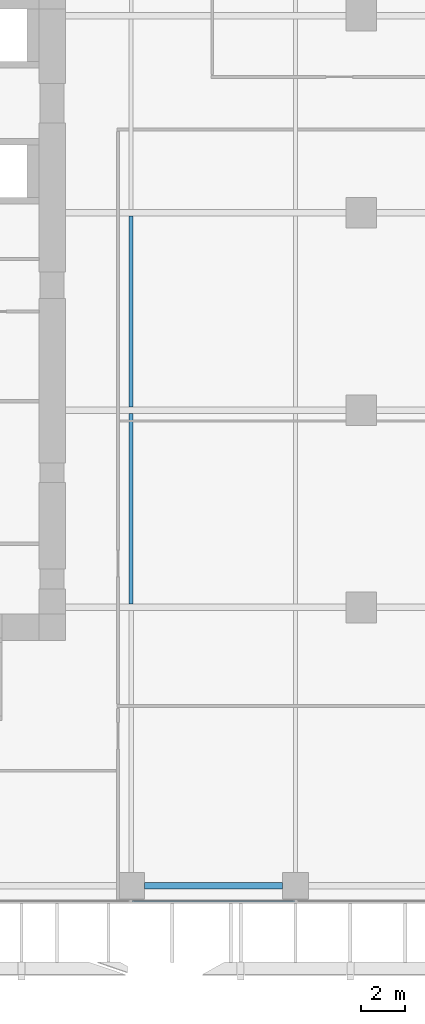
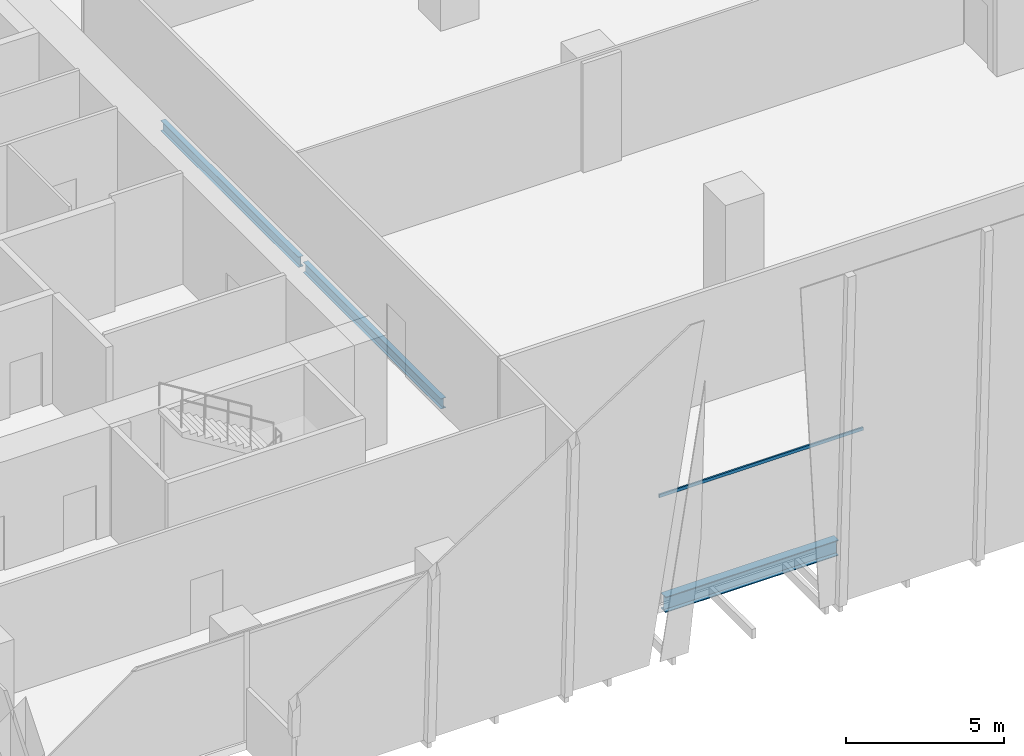
# One storey, part 6 of 34: 3 beams, 1 member, 1 element without a shape of its own.
"""IFC4 building model written with IfcOpenShell, lengths in metres."""

from ifc_helpers import new_model, si_unit, direction, frame, origin, origin_2d, place, context, subcontext, project, spatial, hollow_rectangle, i_section, extrude, source, transform, mapped, material, material_profile, profile_set, type_object, element, aggregate, save


model = new_model("IFC4")

# Units and contexts
model_context = context("Model", 3, precision=1e-05, world=origin(), true_north=direction((0.0, 1.0)))
body_context = subcontext(model_context, "Body", "Model", "MODEL_VIEW")
ifc_project = project(units=[si_unit("LENGTHUNIT", "METRE"), si_unit("AREAUNIT", "SQUARE_METRE"), si_unit("VOLUMEUNIT", "CUBIC_METRE"), si_unit("PLANEANGLEUNIT", "RADIAN"), si_unit("MASSUNIT", "GRAM", prefix="KILO")], contexts=[model_context])

# Site, building, storey
site_placement = place(None, origin())
site = spatial("IfcSite", under=ifc_project, at=site_placement, CompositionType="ELEMENT")
building_placement = place(site_placement, origin())
building = spatial("IfcBuilding", under=site, at=building_placement, Name="Khomas Fold Tower", CompositionType="ELEMENT")
storey_placement = place(building_placement, frame((0.0, 0.0, 73.5)))
storey = spatial("IfcBuildingStorey", under=building, at=storey_placement, Name="L15", CompositionType="ELEMENT", Elevation=73.5)

# Beams
ifc_material_1 = material(Name="Steel S355", Category="steel")
ifc_material_profile_1 = material_profile(ifc_material_1, i_section(OverallWidth=0.179931640625, OverallDepth=0.39990234375, WebThickness=0.008544921875, FlangeThickness=0.013427734375, at=origin_2d()), Name="IPE 400")
ifc_profile_set_1 = profile_set([ifc_material_profile_1], Name="Steel S355")
beam_type_1 = type_object("IfcBeamType", Name="IPE 400 beam JB3", PredefinedType="BEAM", material=ifc_profile_set_1)
shared_shape_1 = source(origin(), body_context, "Body", "SweptSolid", [
    extrude(i_section(OverallWidth=0.179931640625, OverallDepth=0.39990234375, WebThickness=0.008544921875, FlangeThickness=0.013427734375, at=origin_2d()), origin(), (0.0, 0.0, 1.0), 8.7001953125),
])
for number, where, z_axis, x_axis, name in (
    (1, (27.0, 13.64990234375, -0.5), (0.0, 1.0, 0.0), (-1.0, 0.0, 0.0), "JB3"),
    (2, (27.0, 22.64990234375, -0.5), (0.0, 1.0, 0.0), (-1.0, 0.0, 0.0), "JB3"),
):
    element("IfcBeam", number, at=place(storey_placement, frame(where, z_axis=z_axis, x_axis=x_axis)), inside=storey, type_object=beam_type_1, Name=name, PredefinedType="BEAM", context=body_context, shape_type="MappedRepresentation", body=[
        mapped(shared_shape_1, transform((0.0, 0.0, 0.0))),
    ])
ifc_material_2 = material(Name="Steel S355", Category="steel")
ifc_material_profile_2 = material_profile(ifc_material_2, i_section(OverallWidth=0.300048828125, OverallDepth=0.60009765625, WebThickness=0.015380859375, FlangeThickness=0.030029296875, at=origin_2d()), Name="HE 600 B")
ifc_profile_set_2 = profile_set([ifc_material_profile_2], Name="Steel S355")
beam_type_2 = type_object("IfcBeamType", Name="HE 600 B spandrel SB1", PredefinedType="SPANDREL", material=ifc_profile_set_2)
shared_shape_2 = source(origin(), body_context, "Body", "SweptSolid", [
    extrude(i_section(OverallWidth=0.300048828125, OverallDepth=0.60009765625, WebThickness=0.015380859375, FlangeThickness=0.030029296875, at=origin_2d()), origin(), (0.0, 0.0, 1.0), 6.2998046875),
])
beam_placement = place(storey_placement, frame((27.60009765625, 0.800048828125, -0.60009765625), z_axis=(1.0, 0.0, 0.0), x_axis=(0.0, 1.0, 0.0)))
element("IfcBeam", 3, at=beam_placement, inside=storey, type_object=beam_type_2, Name="SB1", PredefinedType="SPANDREL", context=body_context, shape_type="MappedRepresentation", body=[
    mapped(shared_shape_2, transform((0.0, 0.0, 0.0))),
])

# Curtain wall, member
ifc_material_3 = material(Name="Aluminium framed double glazing", Category="aluminium")
curtain_wall_type = type_object("IfcCurtainWallType", Name="SK-Unitised clear-glass wall, growing floors CW1", PredefinedType="NOTDEFINED", material=ifc_material_3)
curtain_wall_placement = place(storey_placement, origin())
curtain_wall = element("IfcCurtainWall", 4, at=curtain_wall_placement, inside=storey, type_object=curtain_wall_type, Name="CW1 run L15 00-0", PredefinedType="NOTDEFINED")
ifc_material_4 = material(Name="Aluminium", Category="aluminium")
ifc_material_profile_3 = material_profile(ifc_material_4, hollow_rectangle(XDim=0.06005859375, YDim=0.1201171875, WallThickness=0.00390625, at=origin_2d()), Name="SK-Unitised clear-glass wall, growing floors transom CW1-T")
ifc_profile_set_3 = profile_set([ifc_material_profile_3], Name="Aluminium")
member_type = type_object("IfcMemberType", Name="SK-Unitised clear-glass wall, growing floors transom CW1-T", PredefinedType="USERDEFINED", material=ifc_profile_set_3)
shared_shape_3 = source(origin(), body_context, "Body", "SweptSolid", [
    extrude(hollow_rectangle(XDim=0.06005859375, YDim=0.1201171875, WallThickness=0.00390625, at=origin_2d()), origin(), (0.0, 0.0, 1.0), 7.43994140625),
])
member_placement = place(storey_placement, frame((27.030029296875, 0.10009765625, 4.139892578125), z_axis=(1.0, 0.0, 0.0), x_axis=(0.0, 1.0, 0.0)))
member = element("IfcMember", 5, at=member_placement, type_object=member_type, Name="CW1 transom 5", ObjectType="TRANSOM", PredefinedType="USERDEFINED", context=body_context, shape_type="MappedRepresentation", body=[
    mapped(shared_shape_3, transform((0.0, 0.0, 0.0))),
])
aggregate(curtain_wall, [member])

save(model, "model.ifc")
